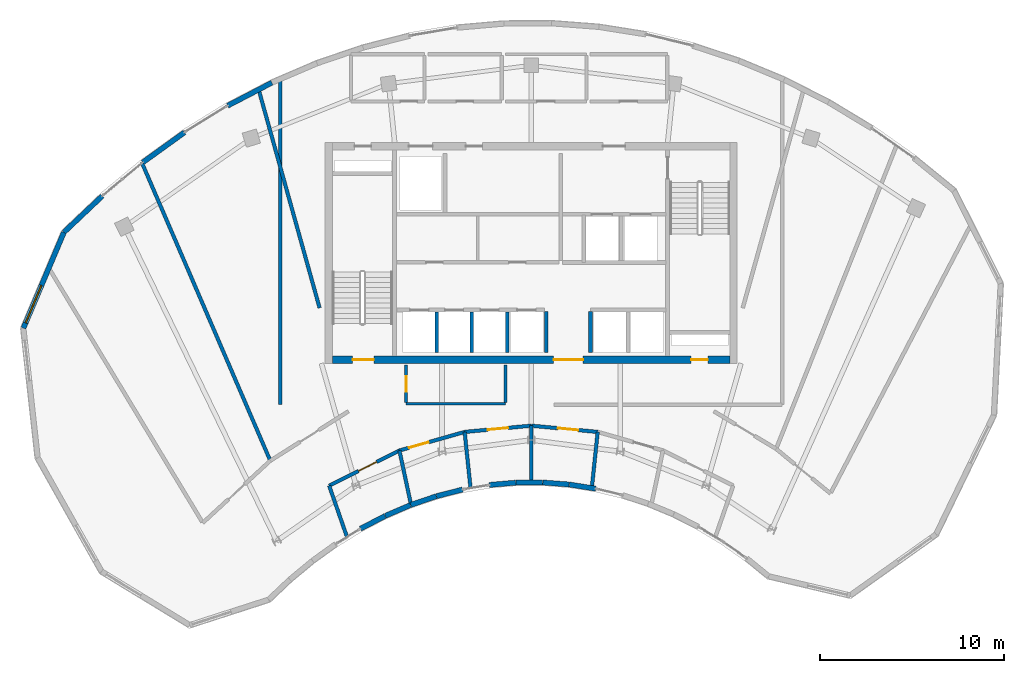
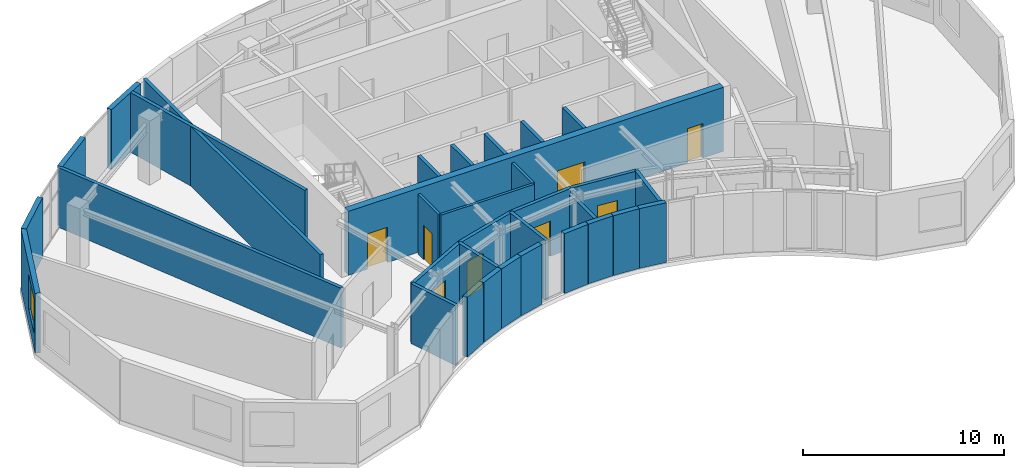
# One storey, part 5 of 9: 33 walls, 8 doors, 1 window, 9 openings.
"""IFC4 building model written with IfcOpenShell, lengths in metres."""

from ifc_helpers import new_model, si_unit, direction, frame, frame_2d, origin, place, context, subcontext, project, spatial, rectangle, extrude, source, transform, mapped, material, layer, layer_set, type_object, type_shapes, element, fill, save


model = new_model("IFC4")

# Units and contexts
model_context = context("Model", 3, precision=1e-05, world=origin(), true_north=direction((0.0, 1.0)))
body_context = subcontext(model_context, "Body", "Model", "MODEL_VIEW")
ifc_project = project(units=[si_unit("LENGTHUNIT", "METRE"), si_unit("AREAUNIT", "SQUARE_METRE"), si_unit("VOLUMEUNIT", "CUBIC_METRE"), si_unit("PLANEANGLEUNIT", "RADIAN"), si_unit("MASSUNIT", "GRAM", prefix="KILO")], contexts=[model_context])

# Site, building, storey
site_placement = place(None, origin())
site = spatial("IfcSite", under=ifc_project, at=site_placement, CompositionType="ELEMENT")
building_placement = place(site_placement, origin())
building = spatial("IfcBuilding", under=site, at=building_placement, Name="Breltana Convention Tower", CompositionType="ELEMENT")
storey_placement = place(building_placement, frame((0.0, 0.0, 283.5)))
storey = spatial("IfcBuildingStorey", under=building, at=storey_placement, Name="L69", CompositionType="ELEMENT", Elevation=283.5)

# Wall, openings, doors
ifc_material_1 = material(Name="Concrete C50/60", Category="concrete")
ifc_layer_1 = layer(ifc_material_1, 0.39990234375, Name="Concrete C50/60")
ifc_layer_set_1 = layer_set([ifc_layer_1], Name="Concrete C50/60")
wall_type_1 = type_object("IfcWallType", Name="SW-CORE-400", PredefinedType="SHEAR", material=ifc_layer_set_1)
shared_shape_1 = source(origin(), body_context, "Body", "SweptSolid", [
    extrude(rectangle(XDim=21.60009765625, YDim=0.39990234375, at=frame_2d((10.800048828125, 0.0))), origin(), (0.0, 0.0, 1.0), 3.89990234375),
])
wall_1_placement = place(storey_placement, frame((37.199951171875, 60.39990234375, 0.0), z_axis=(0.0, 0.0, 1.0), x_axis=(1.0, 0.0, 0.0)))
wall_1 = element("IfcWall", 1, at=wall_1_placement, inside=storey, type_object=wall_type_1, Name="L69 South Core Shear Wall", PredefinedType="SHEAR", context=body_context, shape_type="MappedRepresentation", body=[
    mapped(shared_shape_1, transform((0.0, 0.0, 0.0), scale=1.0)),
])
opening_1_placement = place(wall_1_placement, frame((1.10009765625, 0.0, 0.0)))
opening_1 = element("IfcOpeningElement", 2, at=opening_1_placement, cuts=wall_1, Name="Opening D-11", PredefinedType="OPENING", context=body_context, shape_type="SweptSolid", body=[
    extrude(rectangle(XDim=1.14990234375, YDim=2.14990234375, at=frame_2d((0.574951171875, 1.074951171875))), frame((0.0, 0.2099609375, 0.0), z_axis=(0.0, -1.0, 0.0), x_axis=(1.0, 0.0, 0.0)), (0.0, 0.0, 1.0), 0.419921875),
])
opening_2_placement = place(wall_1_placement, frame((19.5, 0.0, 0.0)))
opening_2 = element("IfcOpeningElement", 3, at=opening_2_placement, cuts=wall_1, Name="Opening D-18", PredefinedType="OPENING", context=body_context, shape_type="SweptSolid", body=[
    extrude(rectangle(XDim=0.89990234375, YDim=2.10009765625, at=frame_2d((0.449951171875, 1.050048828125))), frame((0.0, 0.2099609375, 0.0), z_axis=(0.0, -1.0, 0.0), x_axis=(1.0, 0.0, 0.0)), (0.0, 0.0, 1.0), 0.419921875),
])
opening_3_placement = place(wall_1_placement, frame((12.02001953125, 0.0, 0.0)))
opening_3 = element("IfcOpeningElement", 4, at=opening_3_placement, cuts=wall_1, Name="Opening D-02", PredefinedType="OPENING", context=body_context, shape_type="SweptSolid", body=[
    extrude(rectangle(XDim=1.60009765625, YDim=2.14990234375, at=frame_2d((0.800048828125, 1.074951171875))), frame((0.0, 0.2099609375, 0.0), z_axis=(0.0, -1.0, 0.0), x_axis=(1.0, 0.0, 0.0)), (0.0, 0.0, 1.0), 0.419921875),
])
ifc_material_2 = material(Name="Steel Stair Exit Door", Category="steel")
door_type_1 = type_object("IfcDoorType", Name="DR-FD120-1150", OperationType="NOTDEFINED", PredefinedType="DOOR", material=ifc_material_2)
shared_shape_2 = source(origin(), body_context, "Body", "SweptSolid", [
    extrude(rectangle(XDim=1.14990234375, YDim=2.14990234375, at=frame_2d((0.574951171875, 1.074951171875))), frame((0.0, 0.02490234375, 0.0), z_axis=(0.0, -1.0, 0.0), x_axis=(1.0, 0.0, 0.0)), (0.0, 0.0, 1.0), 0.050048828125),
])
type_shapes(door_type_1, [shared_shape_2])
door_1_placement = place(opening_1_placement, origin())
door_1 = element("IfcDoor", 5, at=door_1_placement, inside=storey, type_object=door_type_1, Name="L69 interior door D-L69-ST1", OperationType="SINGLE_SWING_LEFT", OverallHeight=2.14990234375, OverallWidth=1.14990234375, PredefinedType="DOOR", context=body_context, shape_type="MappedRepresentation", body=[
    mapped(shared_shape_2, transform((0.0, 0.0, 0.0), scale=1.0)),
])
fill(opening_1, door_1)
ifc_material_3 = material(Name="Steel Riser Fire Door", Category="steel")
door_type_2 = type_object("IfcDoorType", Name="DR-FD60-900", OperationType="NOTDEFINED", PredefinedType="DOOR", material=ifc_material_3)
shared_shape_3 = source(origin(), body_context, "Body", "SweptSolid", [
    extrude(rectangle(XDim=0.89990234375, YDim=2.10009765625, at=frame_2d((0.449951171875, 1.050048828125))), frame((0.0, 0.02490234375, 0.0), z_axis=(0.0, -1.0, 0.0), x_axis=(1.0, 0.0, 0.0)), (0.0, 0.0, 1.0), 0.050048828125),
])
type_shapes(door_type_2, [shared_shape_3])
door_2_placement = place(opening_2_placement, origin())
door_2 = element("IfcDoor", 6, at=door_2_placement, inside=storey, type_object=door_type_2, Name="L69 Core Riser Access Door D-L69-RS2", OperationType="SINGLE_SWING_RIGHT", OverallHeight=2.10009765625, OverallWidth=0.89990234375, PredefinedType="DOOR", context=body_context, shape_type="MappedRepresentation", body=[
    mapped(shared_shape_3, transform((0.0, 0.0, 0.0), scale=1.0)),
])
fill(opening_2, door_2)
ifc_material_4 = material(Name="Steel Glazed Smoke-Control Door", Category="steel")
door_type_3 = type_object("IfcDoorType", Name="DR-DBL-FD90-1600", OperationType="DOUBLE_DOOR_SINGLE_SWING", PredefinedType="DOOR", material=ifc_material_4)
shared_shape_4 = source(origin(), body_context, "Body", "SweptSolid", [
    extrude(rectangle(XDim=1.60009765625, YDim=2.14990234375, at=frame_2d((0.800048828125, 1.074951171875))), frame((0.0, 0.02490234375, 0.0), z_axis=(0.0, -1.0, 0.0), x_axis=(1.0, 0.0, 0.0)), (0.0, 0.0, 1.0), 0.050048828125),
])
type_shapes(door_type_3, [shared_shape_4])
door_3_placement = place(opening_3_placement, origin())
door_3 = element("IfcDoor", 7, at=door_3_placement, inside=storey, type_object=door_type_3, Name="L69 interior door D-L69-LLB-S", OperationType="DOUBLE_DOOR_SINGLE_SWING", OverallHeight=2.14990234375, OverallWidth=1.60009765625, PredefinedType="DOOR", context=body_context, shape_type="MappedRepresentation", body=[
    mapped(shared_shape_4, transform((0.0, 0.0, 0.0), scale=1.0)),
])
fill(opening_3, door_3)

# Walls
ifc_material_5 = material(Name="Limestone Buff Insulated Wall", Category="masonry")
ifc_layer_2 = layer(ifc_material_5, 0.280029296875, Name="Limestone Buff Insulated Wall")
ifc_layer_set_2 = layer_set([ifc_layer_2], Name="Limestone Buff Insulated Wall")
wall_type_2 = type_object("IfcWallType", Name="WL-EXT-NOSE-280", PredefinedType="SOLIDWALL", material=ifc_layer_set_2)
shared_shape_5 = source(origin(), body_context, "Body", "SweptSolid", [
    extrude(rectangle(XDim=1.446044921875, YDim=0.280029296875, at=frame_2d((0.72314453125, 0.0))), origin(), (0.0, 0.0, 1.0), 3.639892578125),
])
wall_2_placement = place(storey_placement, frame((51.509033203125, 53.38818359375, 0.0), z_axis=(0.0, 0.0, 1.0), x_axis=(-0.987650460941, 0.156673440642, 0.0)))
element("IfcWall", 8, at=wall_2_placement, inside=storey, type_object=wall_type_2, Name="L69 curved limestone nose wall E10", PredefinedType="SOLIDWALL", context=body_context, shape_type="MappedRepresentation", body=[
    mapped(shared_shape_5, transform((0.0, 0.0, 0.0), scale=1.0)),
])
shared_shape_6 = source(origin(), body_context, "Body", "SweptSolid", [
    extrude(rectangle(XDim=1.440185546875, YDim=0.280029296875, at=frame_2d((0.72021484375, 0.0))), origin(), (0.0, 0.0, 1.0), 3.639892578125),
])
wall_3_placement = place(storey_placement, frame((50.066162109375, 53.616455078125, 0.0), z_axis=(0.0, 0.0, 1.0), x_axis=(-0.997124860794, 0.075776064736, 0.0)))
element("IfcWall", 9, at=wall_3_placement, inside=storey, type_object=wall_type_2, Name="L69 curved limestone nose wall E11", PredefinedType="SOLIDWALL", context=body_context, shape_type="MappedRepresentation", body=[
    mapped(shared_shape_6, transform((0.0, 0.0, 0.0), scale=1.0)),
])
shared_shape_7 = source(origin(), body_context, "Body", "SweptSolid", [
    extrude(rectangle(XDim=1.4384765625, YDim=0.280029296875, at=frame_2d((0.71923828125, 0.0))), origin(), (0.0, 0.0, 1.0), 3.639892578125),
])
wall_4_placement = place(storey_placement, frame((48.615478515625, 53.726318359375, 0.0), z_axis=(0.0, 0.0, 1.0), x_axis=(-0.999982357135, -0.005940153174, 0.0)))
element("IfcWall", 10, at=wall_4_placement, inside=storey, type_object=wall_type_2, Name="L69 curved limestone nose wall E12", PredefinedType="SOLIDWALL", context=body_context, shape_type="MappedRepresentation", body=[
    mapped(shared_shape_7, transform((0.0, 0.0, 0.0), scale=1.0)),
])
shared_shape_8 = source(origin(), body_context, "Body", "SweptSolid", [
    extrude(rectangle(XDim=1.44091796875, YDim=0.280029296875, at=frame_2d((0.720458984375, 0.0))), origin(), (0.0, 0.0, 1.0), 3.639892578125),
])
wall_5_placement = place(storey_placement, frame((47.162353515625, 53.717041015625, 0.0), z_axis=(0.0, 0.0, 1.0), x_axis=(-0.99617032352, -0.087433898101, 0.0)))
element("IfcWall", 11, at=wall_5_placement, inside=storey, type_object=wall_type_2, Name="L69 curved limestone nose wall E13", PredefinedType="SOLIDWALL", context=body_context, shape_type="MappedRepresentation", body=[
    mapped(shared_shape_8, transform((0.0, 0.0, 0.0), scale=1.0)),
])
shared_shape_9 = source(origin(), body_context, "Body", "SweptSolid", [
    extrude(rectangle(XDim=1.4580078125, YDim=0.280029296875, at=frame_2d((0.72900390625, 0.0))), origin(), (0.0, 0.0, 1.0), 3.639892578125),
])
wall_6_placement = place(storey_placement, frame((44.271484375, 53.343017578125, 0.0), z_axis=(0.0, 0.0, 1.0), x_axis=(-0.969109544438, -0.246630677083, 0.0)))
element("IfcWall", 12, at=wall_6_placement, inside=storey, type_object=wall_type_2, Name="L69 curved limestone nose wall E14", PredefinedType="SOLIDWALL", context=body_context, shape_type="MappedRepresentation", body=[
    mapped(shared_shape_9, transform((0.0, 0.0, 0.0), scale=1.0)),
])
shared_shape_10 = source(origin(), body_context, "Body", "SweptSolid", [
    extrude(rectangle(XDim=1.47265625, YDim=0.280029296875, at=frame_2d((0.736328125, 0.0))), origin(), (0.0, 0.0, 1.0), 3.639892578125),
])
wall_7_placement = place(storey_placement, frame((42.8447265625, 52.9794921875, 0.0), z_axis=(0.0, 0.0, 1.0), x_axis=(-0.946641296917, -0.322289086026, 0.0)))
element("IfcWall", 13, at=wall_7_placement, inside=storey, type_object=wall_type_2, Name="L69 curved limestone nose wall E15", PredefinedType="SOLIDWALL", context=body_context, shape_type="MappedRepresentation", body=[
    mapped(shared_shape_10, transform((0.0, 0.0, 0.0), scale=1.0)),
])
shared_shape_11 = source(origin(), body_context, "Body", "SweptSolid", [
    extrude(rectangle(XDim=1.490478515625, YDim=0.280029296875, at=frame_2d((0.7451171875, 0.0))), origin(), (0.0, 0.0, 1.0), 3.639892578125),
])
wall_8_placement = place(storey_placement, frame((41.437744140625, 52.5, 0.0), z_axis=(0.0, 0.0, 1.0), x_axis=(-0.919009427656, -0.394235553799, 0.0)))
element("IfcWall", 14, at=wall_8_placement, inside=storey, type_object=wall_type_2, Name="L69 curved limestone nose wall E16", PredefinedType="SOLIDWALL", context=body_context, shape_type="MappedRepresentation", body=[
    mapped(shared_shape_11, transform((0.0, 0.0, 0.0), scale=1.0)),
])
shared_shape_12 = source(origin(), body_context, "Body", "SweptSolid", [
    extrude(rectangle(XDim=1.51171875, YDim=0.280029296875, at=frame_2d((0.755859375, 0.0))), origin(), (0.0, 0.0, 1.0), 3.639892578125),
])
wall_9_placement = place(storey_placement, frame((40.0556640625, 51.906494140625, 0.0), z_axis=(0.0, 0.0, 1.0), x_axis=(-0.886841011195, -0.462074691865, 0.0)))
element("IfcWall", 15, at=wall_9_placement, inside=storey, type_object=wall_type_2, Name="L69 curved limestone nose wall E17", PredefinedType="SOLIDWALL", context=body_context, shape_type="MappedRepresentation", body=[
    mapped(shared_shape_12, transform((0.0, 0.0, 0.0), scale=1.0)),
])

# Wall, opening, window
shared_shape_13 = source(origin(), body_context, "Body", "SweptSolid", [
    extrude(rectangle(XDim=5.655029296875, YDim=0.280029296875, at=frame_2d((2.82763671875, 0.0))), origin(), (0.0, 0.0, 1.0), 3.639892578125),
])
wall_10_placement = place(storey_placement, frame((20.40087890625, 62.11572265625, 0.0), z_axis=(0.0, 0.0, 1.0), x_axis=(0.389585063528, 0.920990487614, 0.0)))
wall_10 = element("IfcWall", 16, at=wall_10_placement, inside=storey, type_object=wall_type_2, Name="L69 curved limestone nose wall W6", PredefinedType="SOLIDWALL", context=body_context, shape_type="MappedRepresentation", body=[
    mapped(shared_shape_13, transform((0.0, 0.0, 0.0), scale=1.0)),
])
opening_4_placement = place(wall_10_placement, frame((0.313720703125, 0.0, 0.949951171875)))
opening_4 = element("IfcOpeningElement", 17, at=opening_4_placement, cuts=wall_10, Name="Opening W-03", PredefinedType="OPENING", context=body_context, shape_type="SweptSolid", body=[
    extrude(rectangle(XDim=2.199951171875, YDim=2.10009765625, at=frame_2d((1.10009765625, 1.050048828125))), frame((0.0, 0.14990234375, 0.0), z_axis=(0.0, -1.0, 0.0), x_axis=(1.0, 0.0, 0.0)), (0.0, 0.0, 1.0), 0.300048828125),
])
ifc_material_6 = material(Name="Glass Low-E Insulated Window", Category="glass")
window_type = type_object("IfcWindowType", Name="WN-NOSE-2200X2100", PartitioningType="TRIPLE_PANEL_VERTICAL", PredefinedType="WINDOW", material=ifc_material_6)
shared_shape_14 = source(origin(), body_context, "Body", "SweptSolid", [
    extrude(rectangle(XDim=2.199951171875, YDim=2.10009765625, at=frame_2d((1.10009765625, 1.050048828125))), frame((0.0, 0.030029296875, 0.0), z_axis=(0.0, -1.0, 0.0), x_axis=(1.0, 0.0, 0.0)), (0.0, 0.0, 1.0), 0.06005859375),
])
type_shapes(window_type, [shared_shape_14])
window_placement = place(opening_4_placement, origin())
window = element("IfcWindow", 18, at=window_placement, inside=storey, type_object=window_type, Name="L69 nose window W6", OverallHeight=2.10009765625, OverallWidth=2.199951171875, PartitioningType="TRIPLE_PANEL_VERTICAL", PredefinedType="WINDOW", context=body_context, shape_type="MappedRepresentation", body=[
    mapped(shared_shape_14, transform((0.0, 0.0, 0.0), scale=1.0)),
])
fill(opening_4, window)

# Walls
shared_shape_15 = source(origin(), body_context, "Body", "SweptSolid", [
    extrude(rectangle(XDim=2.87255859375, YDim=0.280029296875, at=frame_2d((1.436279296875, 0.0))), origin(), (0.0, 0.0, 1.0), 3.639892578125),
])
wall_11_placement = place(storey_placement, frame((22.60400390625, 67.323974609375, 0.0), z_axis=(0.0, 0.0, 1.0), x_axis=(0.72609560544, 0.687593754888, 0.0)))
element("IfcWall", 19, at=wall_11_placement, inside=storey, type_object=wall_type_2, Name="L69 curved limestone nose wall W7", PredefinedType="SOLIDWALL", context=body_context, shape_type="MappedRepresentation", body=[
    mapped(shared_shape_15, transform((0.0, 0.0, 0.0), scale=1.0)),
])
shared_shape_16 = source(origin(), body_context, "Body", "SweptSolid", [
    extrude(rectangle(XDim=2.8017578125, YDim=0.280029296875, at=frame_2d((1.40087890625, 0.0))), origin(), (0.0, 0.0, 1.0), 3.639892578125),
])
wall_12_placement = place(storey_placement, frame((26.88525390625, 71.11962890625, 0.0), z_axis=(0.0, 0.0, 1.0), x_axis=(0.811507896482, 0.584341453217, 0.0)))
element("IfcWall", 20, at=wall_12_placement, inside=storey, type_object=wall_type_2, Name="L69 curved limestone nose wall E20", PredefinedType="SOLIDWALL", context=body_context, shape_type="MappedRepresentation", body=[
    mapped(shared_shape_16, transform((0.0, 0.0, 0.0), scale=1.0)),
])
shared_shape_17 = source(origin(), body_context, "Body", "SweptSolid", [
    extrude(rectangle(XDim=2.71142578125, YDim=0.280029296875, at=frame_2d((1.355712890625, 0.0))), origin(), (0.0, 0.0, 1.0), 3.639892578125),
])
wall_13_placement = place(storey_placement, frame((31.50244140625, 74.20458984375, 0.0), z_axis=(0.0, 0.0, 1.0), x_axis=(0.886828760751, 0.462098202881, 0.0)))
element("IfcWall", 21, at=wall_13_placement, inside=storey, type_object=wall_type_2, Name="L69 curved limestone nose wall E21", PredefinedType="SOLIDWALL", context=body_context, shape_type="MappedRepresentation", body=[
    mapped(shared_shape_17, transform((0.0, 0.0, 0.0), scale=1.0)),
])
ifc_material_7 = material(Name="Autoclaved Aerated Concrete Block", Category="concrete")
ifc_layer_3 = layer(ifc_material_7, 0.199951171875, Name="Autoclaved Aerated Concrete Block")
ifc_layer_set_3 = layer_set([ifc_layer_3], Name="Autoclaved Aerated Concrete Block")
wall_type_3 = type_object("IfcWallType", Name="WL-SHAFT-200", PredefinedType="SOLIDWALL", material=ifc_layer_set_3)
shared_shape_18 = source(origin(), body_context, "Body", "SweptSolid", [
    extrude(rectangle(XDim=2.239990234375, YDim=0.199951171875, at=frame_2d((1.1201171875, 0.0))), origin(), (0.0, 0.0, 1.0), 3.639892578125),
])
for number, where, z_axis, x_axis, name in (
    (22, (48.820068359375, 60.780029296875, 0.0), (0.0, 0.0, 1.0), (0.0, 1.0, 0.0), "L69 interior partition W-L69-PORT-W"),
    (23, (51.219970703125, 60.780029296875, 0.0), (0.0, 0.0, 1.0), (0.0, 1.0, 0.0), "L69 interior partition W-L69-PORT-E"),
):
    element("IfcWall", number, at=place(storey_placement, frame(where, z_axis=z_axis, x_axis=x_axis)), inside=storey, type_object=wall_type_3, Name=name, PredefinedType="SOLIDWALL", context=body_context, shape_type="MappedRepresentation", body=[
        mapped(shared_shape_18, transform((0.0, 0.0, 0.0), scale=1.0)),
    ])
shared_shape_19 = source(origin(), body_context, "Body", "SweptSolid", [
    extrude(rectangle(XDim=2.199951171875, YDim=0.199951171875, at=frame_2d((1.10009765625, 0.0))), origin(), (0.0, 0.0, 1.0), 3.639892578125),
])
for number, where, z_axis, x_axis, name in (
    (24, (42.8701171875, 60.800048828125, 0.0), (0.0, 0.0, 1.0), (0.0, 1.0, 0.0), "L69 interior partition W-L69-SH-S-DIV1"),
    (25, (44.77001953125, 60.800048828125, 0.0), (0.0, 0.0, 1.0), (0.0, 1.0, 0.0), "L69 interior partition W-L69-SH-S-DIV2"),
    (26, (46.699951171875, 60.800048828125, 0.0), (0.0, 0.0, 1.0), (0.0, 1.0, 0.0), "L69 interior partition W-L69-SH-S-DIV3"),
):
    element("IfcWall", number, at=place(storey_placement, frame(where, z_axis=z_axis, x_axis=x_axis)), inside=storey, type_object=wall_type_3, Name=name, PredefinedType="SOLIDWALL", context=body_context, shape_type="MappedRepresentation", body=[
        mapped(shared_shape_19, transform((0.0, 0.0, 0.0), scale=1.0)),
    ])
ifc_material_8 = material(Name="Gypsum Acoustic Drywall Partition")
ifc_layer_4 = layer(ifc_material_8, 0.14990234375, Name="Gypsum Acoustic Drywall Partition")
ifc_layer_set_4 = layer_set([ifc_layer_4], Name="Gypsum Acoustic Drywall Partition")
wall_type_4 = type_object("IfcWallType", Name="WL-PART-150", PredefinedType="PARTITIONING", material=ifc_layer_set_4)
shared_shape_20 = source(origin(), body_context, "Body", "SweptSolid", [
    extrude(rectangle(XDim=5.400146484375, YDim=0.14990234375, at=frame_2d((2.7001953125, 0.0))), origin(), (0.0, 0.0, 1.0), 3.639892578125),
])
wall_14_placement = place(storey_placement, frame((41.199951171875, 58.0, 0.0), z_axis=(0.0, 0.0, 1.0), x_axis=(1.0, 0.0, 0.0)))
element("IfcWall", 27, at=wall_14_placement, inside=storey, type_object=wall_type_4, Name="L69 interior partition W-L69-CRSC-S", PredefinedType="PARTITIONING", context=body_context, shape_type="MappedRepresentation", body=[
    mapped(shared_shape_20, transform((0.0, 0.0, 0.0), scale=1.0)),
])

# Wall, opening, door
shared_shape_21 = source(origin(), body_context, "Body", "SweptSolid", [
    extrude(rectangle(XDim=2.03271484375, YDim=0.14990234375, at=frame_2d((1.016357421875, 0.0))), origin(), (0.0, 0.0, 1.0), 3.639892578125),
])
wall_15_placement = place(storey_placement, frame((41.199951171875, 58.0673828125, 0.0), z_axis=(0.0, 0.0, 1.0), x_axis=(0.0, 1.0, 0.0)))
wall_15 = element("IfcWall", 28, at=wall_15_placement, inside=storey, type_object=wall_type_4, Name="L69 interior partition W-L69-CRSC-W", PredefinedType="PARTITIONING", context=body_context, shape_type="MappedRepresentation", body=[
    mapped(shared_shape_21, transform((0.0, 0.0, 0.0), scale=1.0)),
])
opening_5_placement = place(wall_15_placement, frame((0.59130859375, 0.0, 0.0)))
opening_5 = element("IfcOpeningElement", 29, at=opening_5_placement, cuts=wall_15, Name="Opening D-20", PredefinedType="OPENING", context=body_context, shape_type="SweptSolid", body=[
    extrude(rectangle(XDim=0.85009765625, YDim=2.10009765625, at=frame_2d((0.425048828125, 1.050048828125))), frame((0.0, 0.0849609375, 0.0), z_axis=(0.0, -1.0, 0.0), x_axis=(1.0, 0.0, 0.0)), (0.0, 0.0, 1.0), 0.169921875),
])
ifc_material_9 = material(Name="Steel Closet Fire Door", Category="steel")
door_type_4 = type_object("IfcDoorType", Name="DR-FD60-850", OperationType="NOTDEFINED", PredefinedType="DOOR", material=ifc_material_9)
shared_shape_22 = source(origin(), body_context, "Body", "SweptSolid", [
    extrude(rectangle(XDim=0.85009765625, YDim=2.10009765625, at=frame_2d((0.425048828125, 1.050048828125))), frame((0.0, 0.02490234375, 0.0), z_axis=(0.0, -1.0, 0.0), x_axis=(1.0, 0.0, 0.0)), (0.0, 0.0, 1.0), 0.050048828125),
])
type_shapes(door_type_4, [shared_shape_22])
door_4_placement = place(opening_5_placement, origin())
door_4 = element("IfcDoor", 30, at=door_4_placement, inside=storey, type_object=door_type_4, Name="L69 interior door D-L69-CRSC", OperationType="SINGLE_SWING_RIGHT", OverallHeight=2.10009765625, OverallWidth=0.85009765625, PredefinedType="DOOR", context=body_context, shape_type="MappedRepresentation", body=[
    mapped(shared_shape_22, transform((0.0, 0.0, 0.0), scale=1.0)),
])
fill(opening_5, door_4)

# Wall
wall_16_placement = place(storey_placement, frame((46.60009765625, 58.0673828125, 0.0), z_axis=(0.0, 0.0, 1.0), x_axis=(0.0, 1.0, 0.0)))
element("IfcWall", 31, at=wall_16_placement, inside=storey, type_object=wall_type_4, Name="L69 interior partition W-L69-CRSC-E", PredefinedType="PARTITIONING", context=body_context, shape_type="MappedRepresentation", body=[
    mapped(shared_shape_21, transform((0.0, 0.0, 0.0), scale=1.0)),
])

# Wall, opening, door
ifc_material_10 = material(Name="Gypsum Acoustic Hotel Wall")
ifc_layer_5 = layer(ifc_material_10, 0.195068359375, Name="Gypsum Acoustic Hotel Wall")
ifc_layer_set_5 = layer_set([ifc_layer_5], Name="Gypsum Acoustic Hotel Wall")
wall_type_5 = type_object("IfcWallType", Name="WL-HOTEL-200", PredefinedType="PARTITIONING", material=ifc_layer_set_5)
shared_shape_23 = source(origin(), body_context, "Body", "SweptSolid", [
    extrude(rectangle(XDim=4.270751953125, YDim=0.195068359375, at=frame_2d((2.13525390625, 0.0))), origin(), (0.0, 0.0, 1.0), 3.639892578125),
])
wall_17_placement = place(storey_placement, frame((37.0205078125, 53.551513671875, 0.0), z_axis=(0.0, 0.0, 1.0), x_axis=(0.894061035522, 0.447945158207, 0.0)))
wall_17 = element("IfcWall", 32, at=wall_17_placement, inside=storey, type_object=wall_type_5, Name="L69 interior partition W-L69-ES1-COR", PredefinedType="PARTITIONING", context=body_context, shape_type="MappedRepresentation", body=[
    mapped(shared_shape_23, transform((0.0, 0.0, 0.0), scale=1.0)),
])
opening_6_placement = place(wall_17_placement, frame((1.785400390625, 0.0, 0.0)))
opening_6 = element("IfcOpeningElement", 33, at=opening_6_placement, cuts=wall_17, Name="Opening D-12", PredefinedType="OPENING", context=body_context, shape_type="SweptSolid", body=[
    extrude(rectangle(XDim=1.10009765625, YDim=2.14990234375, at=frame_2d((0.550048828125, 1.074951171875))), frame((0.0, 0.107421875, 0.0), z_axis=(0.0, -1.0, 0.0), x_axis=(1.0, 0.0, 0.0)), (0.0, 0.0, 1.0), 0.215087890625),
])
ifc_material_11 = material(Name="Timber Oak Acoustic Door", Category="wood")
door_type_5 = type_object("IfcDoorType", Name="DR-INT-1100", OperationType="NOTDEFINED", PredefinedType="DOOR", material=ifc_material_11)
shared_shape_24 = source(origin(), body_context, "Body", "SweptSolid", [
    extrude(rectangle(XDim=1.10009765625, YDim=2.14990234375, at=frame_2d((0.550048828125, 1.074951171875))), frame((0.0, 0.02490234375, 0.0), z_axis=(0.0, -1.0, 0.0), x_axis=(1.0, 0.0, 0.0)), (0.0, 0.0, 1.0), 0.050048828125),
])
type_shapes(door_type_5, [shared_shape_24])
door_5_placement = place(opening_6_placement, origin())
door_5 = element("IfcDoor", 34, at=door_5_placement, inside=storey, type_object=door_type_5, Name="L69 interior door D-L69-ES1", OperationType="SINGLE_SWING_LEFT", OverallHeight=2.14990234375, OverallWidth=1.10009765625, PredefinedType="DOOR", context=body_context, shape_type="MappedRepresentation", body=[
    mapped(shared_shape_24, transform((0.0, 0.0, 0.0), scale=1.0)),
])
fill(opening_6, door_5)

# Walls
shared_shape_25 = source(origin(), body_context, "Body", "SweptSolid", [
    extrude(rectangle(XDim=2.94384765625, YDim=0.195068359375, at=frame_2d((1.471923828125, 0.0))), origin(), (0.0, 0.0, 1.0), 3.639892578125),
])
wall_18_placement = place(storey_placement, frame((37.98779296875, 50.77099609375, 0.0), z_axis=(0.0, 0.0, 1.0), x_axis=(-0.328565655286, 0.944481132774, 0.0)))
element("IfcWall", 35, at=wall_18_placement, inside=storey, type_object=wall_type_5, Name="L69 interior partition W-L69-ES1-RA", PredefinedType="PARTITIONING", context=body_context, shape_type="MappedRepresentation", body=[
    mapped(shared_shape_25, transform((0.0, 0.0, 0.0), scale=1.0)),
])
shared_shape_26 = source(origin(), body_context, "Body", "SweptSolid", [
    extrude(rectangle(XDim=3.009765625, YDim=0.195068359375, at=frame_2d((1.5048828125, 0.0))), origin(), (0.0, 0.0, 1.0), 3.639892578125),
])
wall_19_placement = place(storey_placement, frame((41.46875, 52.521484375, 0.0), z_axis=(0.0, 0.0, 1.0), x_axis=(-0.209279797988, 0.977855800287, 0.0)))
element("IfcWall", 36, at=wall_19_placement, inside=storey, type_object=wall_type_5, Name="L69 interior partition W-L69-ES1-RB", PredefinedType="PARTITIONING", context=body_context, shape_type="MappedRepresentation", body=[
    mapped(shared_shape_26, transform((0.0, 0.0, 0.0), scale=1.0)),
])

# Wall, opening, door
shared_shape_27 = source(origin(), body_context, "Body", "SweptSolid", [
    extrude(rectangle(XDim=3.6865234375, YDim=0.195068359375, at=frame_2d((1.84326171875, 0.0))), origin(), (0.0, 0.0, 1.0), 3.639892578125),
])
wall_20_placement = place(storey_placement, frame((40.8388671875, 55.464599609375, 0.0), z_axis=(0.0, 0.0, 1.0), x_axis=(0.961753532248, 0.27391630694, 0.0)))
wall_20 = element("IfcWall", 37, at=wall_20_placement, inside=storey, type_object=wall_type_5, Name="L69 interior partition W-L69-ES2-COR", PredefinedType="PARTITIONING", context=body_context, shape_type="MappedRepresentation", body=[
    mapped(shared_shape_27, transform((0.0, 0.0, 0.0), scale=1.0)),
])
opening_7_placement = place(wall_20_placement, frame((0.543212890625, 0.0, 0.0)))
opening_7 = element("IfcOpeningElement", 38, at=opening_7_placement, cuts=wall_20, Name="Opening D-12", PredefinedType="OPENING", context=body_context, shape_type="SweptSolid", body=[
    extrude(rectangle(XDim=1.10009765625, YDim=2.14990234375, at=frame_2d((0.550048828125, 1.074951171875))), frame((0.0, 0.107421875, 0.0), z_axis=(0.0, -1.0, 0.0), x_axis=(1.0, 0.0, 0.0)), (0.0, 0.0, 1.0), 0.215087890625),
])
door_6_placement = place(opening_7_placement, origin())
door_6 = element("IfcDoor", 39, at=door_6_placement, inside=storey, type_object=door_type_5, Name="L69 interior door D-L69-ES2", OperationType="SINGLE_SWING_RIGHT", OverallHeight=2.14990234375, OverallWidth=1.10009765625, PredefinedType="DOOR", context=body_context, shape_type="MappedRepresentation", body=[
    mapped(shared_shape_24, transform((0.0, 0.0, 0.0), scale=1.0)),
])
fill(opening_7, door_6)

# Wall
shared_shape_28 = source(origin(), body_context, "Body", "SweptSolid", [
    extrude(rectangle(XDim=3.0634765625, YDim=0.195068359375, at=frame_2d((1.53173828125, 0.0))), origin(), (0.0, 0.0, 1.0), 3.639892578125),
])
wall_21_placement = place(storey_placement, frame((44.703857421875, 53.427490234375, 0.0), z_axis=(0.0, 0.0, 1.0), x_axis=(-0.104315578516, 0.994544247421, 0.0)))
element("IfcWall", 40, at=wall_21_placement, inside=storey, type_object=wall_type_5, Name="L69 interior partition W-L69-ES2-RB", PredefinedType="PARTITIONING", context=body_context, shape_type="MappedRepresentation", body=[
    mapped(shared_shape_28, transform((0.0, 0.0, 0.0), scale=1.0)),
])

# Wall, opening, door
shared_shape_29 = source(origin(), body_context, "Body", "SweptSolid", [
    extrude(rectangle(XDim=3.631591796875, YDim=0.195068359375, at=frame_2d((1.81591796875, 0.0))), origin(), (0.0, 0.0, 1.0), 3.639892578125),
])
wall_22_placement = place(storey_placement, frame((44.38427734375, 56.474365234375, 0.0), z_axis=(0.0, 0.0, 1.0), x_axis=(0.99563695898, 0.093311552942, 0.0)))
wall_22 = element("IfcWall", 41, at=wall_22_placement, inside=storey, type_object=wall_type_5, Name="L69 interior partition W-L69-ES3-COR", PredefinedType="PARTITIONING", context=body_context, shape_type="MappedRepresentation", body=[
    mapped(shared_shape_29, transform((0.0, 0.0, 0.0), scale=1.0)),
])
opening_8_placement = place(wall_22_placement, frame((1.265869140625, 0.0, 0.0)))
opening_8 = element("IfcOpeningElement", 42, at=opening_8_placement, cuts=wall_22, Name="Opening D-12", PredefinedType="OPENING", context=body_context, shape_type="SweptSolid", body=[
    extrude(rectangle(XDim=1.10009765625, YDim=2.14990234375, at=frame_2d((0.550048828125, 1.074951171875))), frame((0.0, 0.107421875, 0.0), z_axis=(0.0, -1.0, 0.0), x_axis=(1.0, 0.0, 0.0)), (0.0, 0.0, 1.0), 0.215087890625),
])
door_7_placement = place(opening_8_placement, origin())
door_7 = element("IfcDoor", 43, at=door_7_placement, inside=storey, type_object=door_type_5, Name="L69 interior door D-L69-ES3", OperationType="SINGLE_SWING_LEFT", OverallHeight=2.14990234375, OverallWidth=1.10009765625, PredefinedType="DOOR", context=body_context, shape_type="MappedRepresentation", body=[
    mapped(shared_shape_24, transform((0.0, 0.0, 0.0), scale=1.0)),
])
fill(opening_8, door_7)

wall_23_placement = place(storey_placement, frame((48.0, 56.813232421875, 0.0), z_axis=(0.0, 0.0, 1.0), x_axis=(0.99563695898, -0.093311552942, 0.0)))
wall_23 = element("IfcWall", 44, at=wall_23_placement, inside=storey, type_object=wall_type_5, Name="L69 interior partition W-L69-ES4-COR", PredefinedType="PARTITIONING", context=body_context, shape_type="MappedRepresentation", body=[
    mapped(shared_shape_29, transform((0.0, 0.0, 0.0), scale=1.0)),
])
opening_9_placement = place(wall_23_placement, frame((1.4658203125, 0.0, 0.0)))
opening_9 = element("IfcOpeningElement", 45, at=opening_9_placement, cuts=wall_23, Name="Opening D-12", PredefinedType="OPENING", context=body_context, shape_type="SweptSolid", body=[
    extrude(rectangle(XDim=1.10009765625, YDim=2.14990234375, at=frame_2d((0.550048828125, 1.074951171875))), frame((0.0, 0.107421875, 0.0), z_axis=(0.0, -1.0, 0.0), x_axis=(1.0, 0.0, 0.0)), (0.0, 0.0, 1.0), 0.215087890625),
])
door_8_placement = place(opening_9_placement, origin())
door_8 = element("IfcDoor", 46, at=door_8_placement, inside=storey, type_object=door_type_5, Name="L69 interior door D-L69-ES4", OperationType="SINGLE_SWING_RIGHT", OverallHeight=2.14990234375, OverallWidth=1.10009765625, PredefinedType="DOOR", context=body_context, shape_type="MappedRepresentation", body=[
    mapped(shared_shape_24, transform((0.0, 0.0, 0.0), scale=1.0)),
])
fill(opening_9, door_8)

# Walls
shared_shape_30 = source(origin(), body_context, "Body", "SweptSolid", [
    extrude(rectangle(XDim=3.08056640625, YDim=0.195068359375, at=frame_2d((1.540283203125, 0.0))), origin(), (0.0, 0.0, 1.0), 3.31396484375),
])
wall_24_placement = place(storey_placement, frame((48.0, 53.732666015625, 0.0), z_axis=(0.0, 0.0, 1.0), x_axis=(0.0, 1.0, 0.0)))
element("IfcWall", 47, at=wall_24_placement, inside=storey, type_object=wall_type_5, Name="L69 interior partition W-L69-ES3-RB", PredefinedType="PARTITIONING", context=body_context, shape_type="MappedRepresentation", body=[
    mapped(shared_shape_30, transform((0.0, 0.0, 0.0), scale=1.0)),
])
shared_shape_31 = source(origin(), body_context, "Body", "SweptSolid", [
    extrude(rectangle(XDim=3.05908203125, YDim=0.195068359375, at=frame_2d((1.529541015625, 0.0))), origin(), (0.0, 0.0, 1.0), 3.639892578125),
])
wall_25_placement = place(storey_placement, frame((51.296630859375, 53.431884765625, 0.0), z_axis=(0.0, 0.0, 1.0), x_axis=(0.10430673596, 0.994545174858, 0.0)))
element("IfcWall", 48, at=wall_25_placement, inside=storey, type_object=wall_type_5, Name="L69 interior partition W-L69-ES4-RB", PredefinedType="PARTITIONING", context=body_context, shape_type="MappedRepresentation", body=[
    mapped(shared_shape_31, transform((0.0, 0.0, 0.0), scale=1.0)),
])
shared_shape_32 = source(origin(), body_context, "Body", "SweptSolid", [
    extrude(rectangle(XDim=17.5556640625, YDim=0.195068359375, at=frame_2d((8.77783203125, 0.0))), origin(), (0.0, 0.0, 1.0), 3.639892578125),
])
wall_26_placement = place(storey_placement, frame((33.800048828125, 54.95751953125, 0.0), z_axis=(0.0, 0.0, 1.0), x_axis=(-0.395687598313, 0.918385172213, 0.0)))
element("IfcWall", 49, at=wall_26_placement, inside=storey, type_object=wall_type_5, Name="L69 interior partition W-L69-EXWR1-RB", PredefinedType="PARTITIONING", context=body_context, shape_type="MappedRepresentation", body=[
    mapped(shared_shape_32, transform((0.0, 0.0, 0.0), scale=1.0)),
])
shared_shape_33 = source(origin(), body_context, "Body", "SweptSolid", [
    extrude(rectangle(XDim=12.310546875, YDim=0.195068359375, at=frame_2d((6.1552734375, 0.0))), origin(), (0.0, 0.0, 1.0), 3.639892578125),
])
wall_27_placement = place(storey_placement, frame((36.5, 63.2158203125, 0.0), z_axis=(0.0, 0.0, 1.0), x_axis=(-0.268759602651, 0.963207286093, 0.0)))
element("IfcWall", 50, at=wall_27_placement, inside=storey, type_object=wall_type_5, Name="L69 interior partition W-L69-EXWR2-RB", PredefinedType="PARTITIONING", context=body_context, shape_type="MappedRepresentation", body=[
    mapped(shared_shape_33, transform((0.0, 0.0, 0.0), scale=1.0)),
])
shared_shape_34 = source(origin(), body_context, "Body", "SweptSolid", [
    extrude(rectangle(XDim=17.680908203125, YDim=0.195068359375, at=frame_2d((8.84033203125, 0.0))), origin(), (0.0, 0.0, 1.0), 3.639892578125),
])
wall_28_placement = place(storey_placement, frame((34.360107421875, 57.9599609375, 0.0), z_axis=(0.0, 0.0, 1.0), x_axis=(0.0, 1.0, 0.0)))
element("IfcWall", 51, at=wall_28_placement, inside=storey, type_object=wall_type_5, Name="L69 interior partition W-L69-EXWR-CL", PredefinedType="PARTITIONING", context=body_context, shape_type="MappedRepresentation", body=[
    mapped(shared_shape_34, transform((0.0, 0.0, 0.0), scale=1.0)),
])

save(model, "model.ifc")
